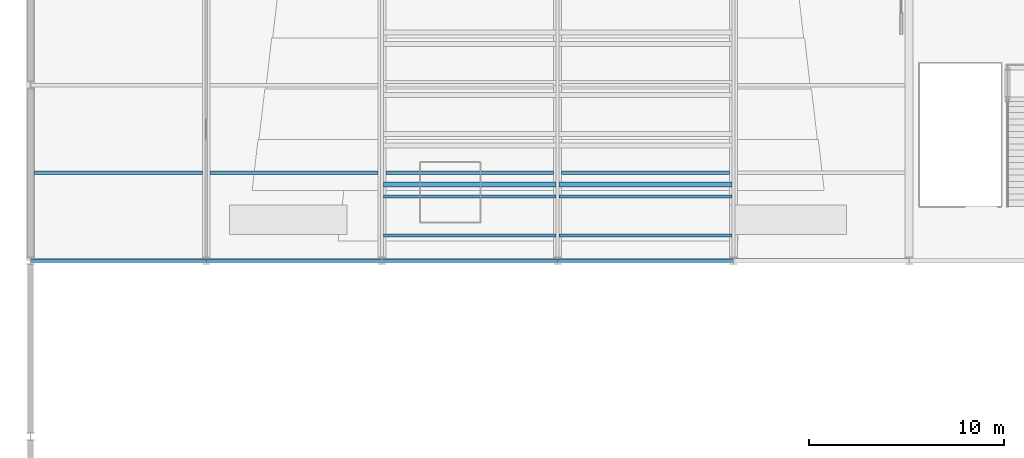
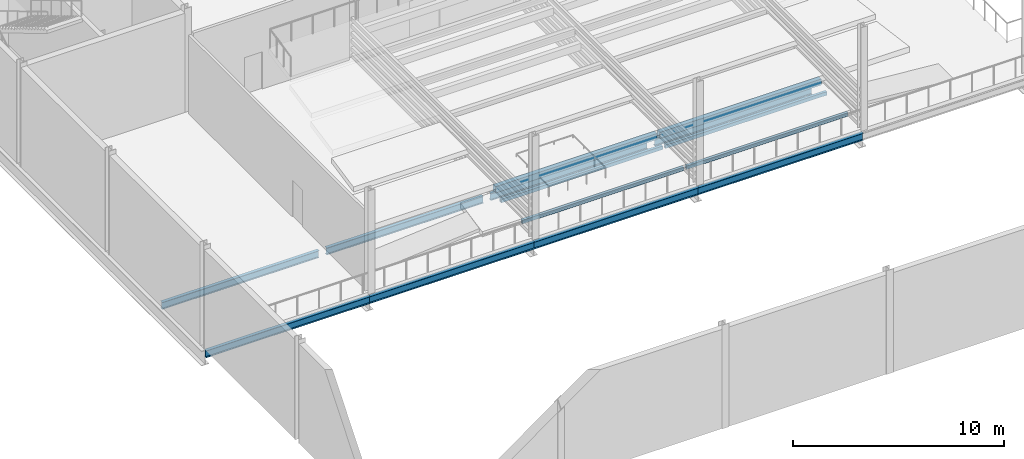
# One storey, part 27 of 159: 14 beams.
"""IFC4 building model written with IfcOpenShell, lengths in metres."""

from ifc_helpers import new_model, si_unit, direction, frame, origin, origin_2d, place, context, subcontext, project, spatial, hollow_rectangle, i_section, extrude, material, material_profile, profile_set, type_object, element, save


model = new_model("IFC4")

# Units and contexts
model_context = context("Model", 3, precision=1e-05, world=origin(), true_north=direction((0.0, 1.0)))
body_context = subcontext(model_context, "Body", "Model", "MODEL_VIEW")
ifc_project = project(units=[si_unit("LENGTHUNIT", "METRE"), si_unit("AREAUNIT", "SQUARE_METRE"), si_unit("VOLUMEUNIT", "CUBIC_METRE"), si_unit("PLANEANGLEUNIT", "RADIAN"), si_unit("MASSUNIT", "GRAM", prefix="KILO")], contexts=[model_context])

# Site, building, storey
site_placement = place(None, origin())
site = spatial("IfcSite", under=ifc_project, at=site_placement, CompositionType="ELEMENT")
building_placement = place(site_placement, origin())
building = spatial("IfcBuilding", under=site, at=building_placement, Name="Cazmaro Siding Exhibition Halls", CompositionType="ELEMENT")
storey_placement = place(building_placement, frame((0.0, 0.0, 6.0)))
storey = spatial("IfcBuildingStorey", under=building, at=storey_placement, Name="L01", CompositionType="ELEMENT", Elevation=6.0)

# Beams
ifc_material_1 = material(Name="Steel ASTM A500 Grade C", Category="steel")
ifc_material_profile_1 = material_profile(ifc_material_1, hollow_rectangle(XDim=0.25390625, YDim=0.35595703125, WallThickness=0.014892578125, at=origin_2d()), Name="HSS14X10X5/8")
ifc_profile_set_1 = profile_set([ifc_material_profile_1], Name="Steel ASTM A500 Grade C")
beam_type_1 = type_object("IfcBeamType", Name="B-06", PredefinedType="BEAM", material=ifc_profile_set_1)
for number, where, z_axis, x_axis, name in (
    (1, (18.075927734375, 30.89990234375, 0.431884765625), (1.0, 0.0, 0.0), (0.0, 1.0, 0.0), "Beam B-06 BM-1887"),
    (2, (27.075927734375, 30.89990234375, 0.431884765625), (1.0, 0.0, 0.0), (0.0, 1.0, 0.0), "Beam B-06 BM-1888"),
):
    element("IfcBeam", number, at=place(storey_placement, frame(where, z_axis=z_axis, x_axis=x_axis)), inside=storey, type_object=beam_type_1, Name=name, PredefinedType="BEAM", context=body_context, shape_type="SweptSolid", body=[
        extrude(hollow_rectangle(XDim=0.25390625, YDim=0.35595703125, WallThickness=0.014892578125, at=origin_2d()), origin(), (0.0, 0.0, 1.0), 8.84814453125),
    ])
ifc_material_2 = material(Name="Steel ASTM A992 Grade 50", Category="steel")
ifc_material_profile_2 = material_profile(ifc_material_2, i_section(OverallWidth=0.177978515625, OverallDepth=0.406005859375, WebThickness=0.008056640625, FlangeThickness=0.012939453125, at=origin_2d()), Name="W16X40")
ifc_profile_set_2 = profile_set([ifc_material_profile_2], Name="Steel ASTM A992 Grade 50")
beam_type_2 = type_object("IfcBeamType", Name="J-02", PredefinedType="JOIST", material=ifc_profile_set_2)
for number, where, z_axis, x_axis, name in (
    (3, (0.0, 27.0, -0.423095703125), (1.0, 0.0, 0.0), (0.0, 1.0, 0.0), "Beam J-02 BM-1781"),
    (4, (9.0, 27.0, -0.423095703125), (1.0, 0.0, 0.0), (0.0, 1.0, 0.0), "Beam J-02 BM-1782"),
    (5, (18.0, 27.0, -0.423095703125), (1.0, 0.0, 0.0), (0.0, 1.0, 0.0), "Beam J-02 BM-1783"),
    (6, (27.0, 27.0, -0.423095703125), (1.0, 0.0, 0.0), (0.0, 1.0, 0.0), "Beam J-02 BM-1784"),
):
    element("IfcBeam", number, at=place(storey_placement, frame(where, z_axis=z_axis, x_axis=x_axis)), inside=storey, type_object=beam_type_2, Name=name, PredefinedType="JOIST", context=body_context, shape_type="SweptSolid", body=[
        extrude(i_section(OverallWidth=0.177978515625, OverallDepth=0.406005859375, WebThickness=0.008056640625, FlangeThickness=0.012939453125, at=origin_2d()), origin(), (0.0, 0.0, 1.0), 9.0),
    ])
for number, where, z_axis, x_axis, name in (
    (7, (0.201904296875, 31.5, -0.423095703125), (1.0, 0.0, 0.0), (0.0, 1.0, 0.0), "Beam J-02 BM-1786"),
    (8, (9.201904296875, 31.5, -0.423095703125), (1.0, 0.0, 0.0), (0.0, 1.0, 0.0), "Beam J-02 BM-1787"),
    (9, (18.201904296875, 31.5, -0.423095703125), (1.0, 0.0, 0.0), (0.0, 1.0, 0.0), "Beam J-02 BM-1788"),
    (10, (27.201904296875, 31.5, -0.423095703125), (1.0, 0.0, 0.0), (0.0, 1.0, 0.0), "Beam J-02 BM-1789"),
):
    element("IfcBeam", number, at=place(storey_placement, frame(where, z_axis=z_axis, x_axis=x_axis)), inside=storey, type_object=beam_type_2, Name=name, PredefinedType="JOIST", context=body_context, shape_type="SweptSolid", body=[
        extrude(i_section(OverallWidth=0.177978515625, OverallDepth=0.406005859375, WebThickness=0.008056640625, FlangeThickness=0.012939453125, at=origin_2d()), origin(), (0.0, 0.0, 1.0), 8.59619140625),
    ])
ifc_material_3 = material(Name="Steel ASTM A500 Grade C", Category="steel")
ifc_material_profile_3 = material_profile(ifc_material_3, hollow_rectangle(XDim=0.152099609375, YDim=0.202880859375, WallThickness=0.011962890625, at=origin_2d()), Name="HSS8X6X1/2")
ifc_profile_set_3 = profile_set([ifc_material_profile_3], Name="Steel ASTM A500 Grade C")
beam_type_3 = type_object("IfcBeamType", Name="LN-01", PredefinedType="LINTEL", material=ifc_profile_set_3)
for number, where, z_axis, x_axis, name in (
    (11, (18.075927734375, 28.300048828125, 0.10888671875), (1.0, 0.0, 0.0), (0.0, 1.0, 0.0), "Beam LN-01 BM-1880"),
    (12, (27.075927734375, 28.300048828125, 0.10888671875), (1.0, 0.0, 0.0), (0.0, 1.0, 0.0), "Beam LN-01 BM-1881"),
    (13, (18.075927734375, 30.300048828125, 0.10888671875), (1.0, 0.0, 0.0), (0.0, 1.0, 0.0), "Beam LN-01 BM-1882"),
    (14, (27.075927734375, 30.300048828125, 0.10888671875), (1.0, 0.0, 0.0), (0.0, 1.0, 0.0), "Beam LN-01 BM-1883"),
):
    element("IfcBeam", number, at=place(storey_placement, frame(where, z_axis=z_axis, x_axis=x_axis)), inside=storey, type_object=beam_type_3, Name=name, PredefinedType="LINTEL", context=body_context, shape_type="SweptSolid", body=[
        extrude(hollow_rectangle(XDim=0.152099609375, YDim=0.202880859375, WallThickness=0.011962890625, at=origin_2d()), origin(), (0.0, 0.0, 1.0), 8.84814453125),
    ])

save(model, "model.ifc")
